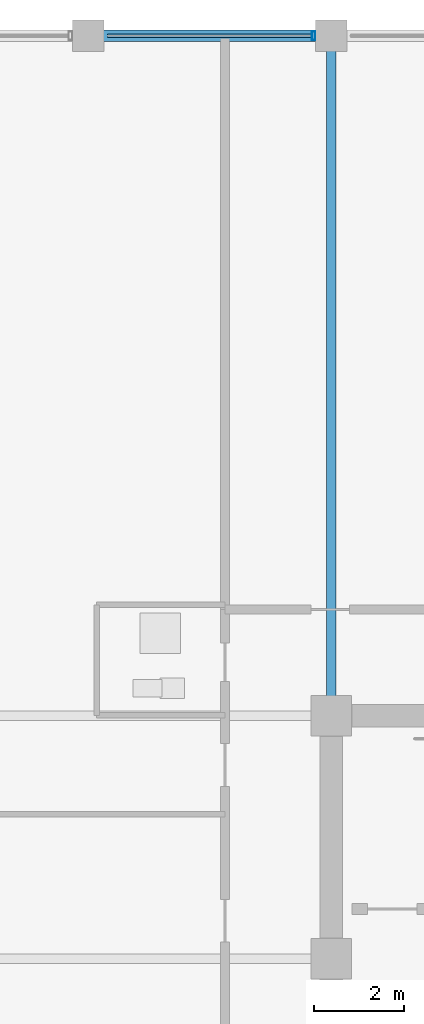
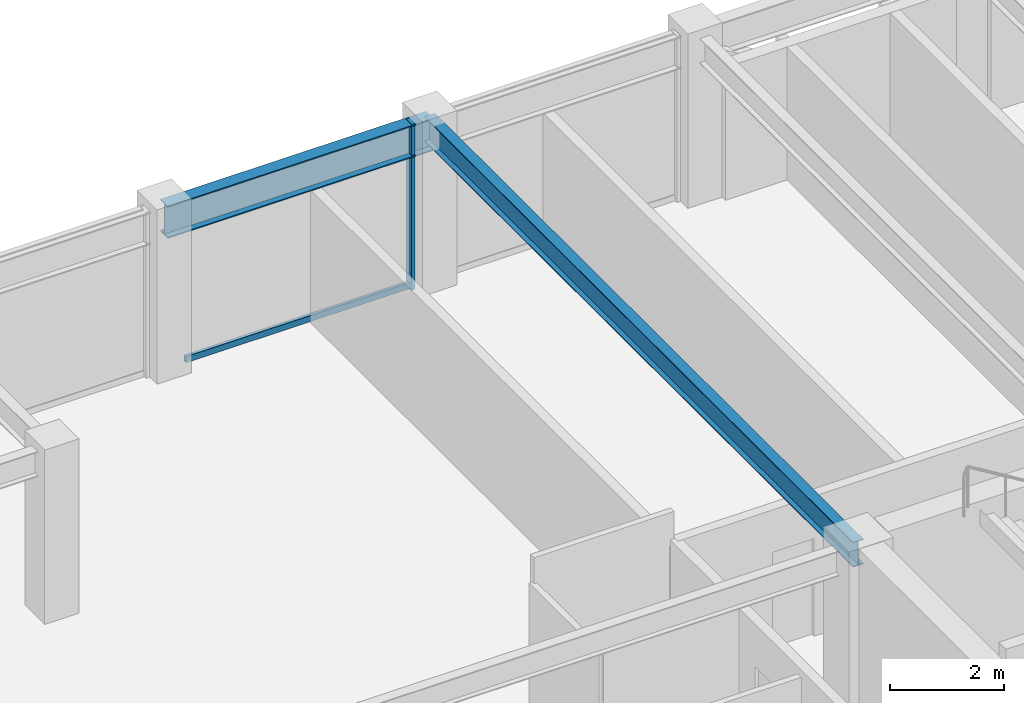
# One storey, part 17 of 31: 2 beams, 2 members, 1 element without a shape of its own.
"""IFC4 building model written with IfcOpenShell, lengths in metres."""

from ifc_helpers import new_model, si_unit, direction, frame, origin, origin_2d, place, context, subcontext, project, spatial, hollow_rectangle, i_section, extrude, material, layer, layer_set, material_profile, profile_set, type_object, element, aggregate, save


model = new_model("IFC4")

# Units and contexts
model_context = context("Model", 3, precision=1e-05, world=origin(), true_north=direction((0.0, 1.0)))
body_context = subcontext(model_context, "Body", "Model", "MODEL_VIEW")
ifc_project = project(units=[si_unit("LENGTHUNIT", "METRE"), si_unit("AREAUNIT", "SQUARE_METRE"), si_unit("VOLUMEUNIT", "CUBIC_METRE"), si_unit("PLANEANGLEUNIT", "RADIAN"), si_unit("MASSUNIT", "GRAM", prefix="KILO")], contexts=[model_context])

# Site, building, storey
site_placement = place(None, origin())
site = spatial("IfcSite", under=ifc_project, at=site_placement, CompositionType="ELEMENT")
building_placement = place(site_placement, origin())
building = spatial("IfcBuilding", under=site, at=building_placement, Name="Surkhivell Harbour Commons", CompositionType="ELEMENT")
storey_placement = place(building_placement, frame((0.0, 0.0, 288.75)))
storey = spatial("IfcBuildingStorey", under=building, at=storey_placement, Name="L75", CompositionType="ELEMENT", Elevation=288.75)

# Beams
ifc_material_1 = material(Name="Steel S355", Category="steel")
ifc_material_profile_1 = material_profile(ifc_material_1, i_section(OverallWidth=0.2099609375, OverallDepth=0.537109375, WebThickness=0.0107421875, FlangeThickness=0.017333984375, at=origin_2d()), Name="UB533x210x101")
ifc_profile_set_1 = profile_set([ifc_material_profile_1], Name="Steel S355")
beam_type_1 = type_object("IfcBeamType", Name="BM-GRD-533B", PredefinedType="BEAM", material=ifc_profile_set_1)
beam_1_placement = place(storey_placement, frame((-10.800048828125, 10.800048828125, 3.301513671875), z_axis=(0.0, 1.0, 0.0), x_axis=(-1.0, 0.0, 0.0)))
element("IfcBeam", 1, at=beam_1_placement, inside=storey, type_object=beam_type_1, Name="L75 Floor Girder (-10.8,10.8)", PredefinedType="BEAM", context=body_context, shape_type="SweptSolid", body=[
    extrude(i_section(OverallWidth=0.2099609375, OverallDepth=0.537109375, WebThickness=0.0107421875, FlangeThickness=0.017333984375, at=origin_2d()), origin(), (0.0, 0.0, 1.0), 15.099853515625),
])
ifc_material_profile_2 = material_profile(ifc_material_1, i_section(OverallWidth=0.256103515625, OverallDepth=0.693115234375, WebThickness=0.014404296875, FlangeThickness=0.023681640625, at=origin_2d()), Name="UB686x254x170")
ifc_profile_set_2 = profile_set([ifc_material_profile_2], Name="Steel S355")
beam_type_2 = type_object("IfcBeamType", Name="BM-SPN-686", PredefinedType="SPANDREL", material=ifc_profile_set_2)
beam_2_placement = place(storey_placement, frame((-16.199951171875, 25.89990234375, 3.223388671875), z_axis=(1.0, 0.0, 0.0), x_axis=(0.0, 1.0, 0.0)))
element("IfcBeam", 2, at=beam_2_placement, inside=storey, type_object=beam_type_2, Name="L75 Tube Spandrel (-16.2,25.9)", PredefinedType="SPANDREL", context=body_context, shape_type="SweptSolid", body=[
    extrude(i_section(OverallWidth=0.256103515625, OverallDepth=0.693115234375, WebThickness=0.014404296875, FlangeThickness=0.023681640625, at=origin_2d()), origin(), (0.0, 0.0, 1.0), 5.39990234375),
])

# Curtain wall, members
ifc_material_2 = material(Name="Anodised pale-metal aluminium and insulated glazing", Category="aluminium")
ifc_layer = layer(ifc_material_2, 0.175048828125)
ifc_layer_set = layer_set([ifc_layer], Name="Anodised pale-metal aluminium and insulated glazing")
curtain_wall_type = type_object("IfcCurtainWallType", Name="CW-SYS-Z4", PredefinedType="NOTDEFINED", material=ifc_layer_set)
curtain_wall_placement = place(storey_placement, origin())
curtain_wall = element("IfcCurtainWall", 3, at=curtain_wall_placement, inside=storey, type_object=curtain_wall_type, Name="L75 Curtain Wall CW-L75-E07S2", PredefinedType="NOTDEFINED")
ifc_material_3 = material(Name="Anodised pale-metal aluminium alloy 6063-T6", Category="aluminium")
ifc_material_profile_3 = material_profile(ifc_material_3, hollow_rectangle(XDim=0.074951171875, YDim=0.18994140625, WallThickness=0.00390625, at=origin_2d()), Name="ALU-MULL-75x190")
ifc_profile_set_3 = profile_set([ifc_material_profile_3], Name="Anodised pale-metal aluminium alloy 6063-T6")
member_type_1 = type_object("IfcMemberType", Name="CWM-190", PredefinedType="MULLION", material=ifc_profile_set_3)
member_1_placement = place(storey_placement, frame((-11.189453125, 25.89990234375, 0.0), z_axis=(0.0, 0.0, 1.0), x_axis=(-1.0, 0.0, 0.0)))
member_1 = element("IfcMember", 4, at=member_1_placement, type_object=member_type_1, Name="CW-Z4 mullion 2", PredefinedType="MULLION", context=body_context, shape_type="SweptSolid", body=[
    extrude(hollow_rectangle(XDim=0.074951171875, YDim=0.18994140625, WallThickness=0.00390625, at=origin_2d()), origin(), (0.0, 0.0, 1.0), 3.570068359375),
])
ifc_material_4 = material(Name="Champagne anodised aluminium alloy 6063-T6", Category="aluminium")
ifc_material_profile_4 = material_profile(ifc_material_4, hollow_rectangle(XDim=0.070068359375, YDim=0.1298828125, WallThickness=0.00341796875, at=origin_2d()), Name="ALU-TRAN-70x130")
ifc_profile_set_4 = profile_set([ifc_material_profile_4], Name="Champagne anodised aluminium alloy 6063-T6")
member_type_2 = type_object("IfcMemberType", Name="CWT-130", PredefinedType="USERDEFINED", material=ifc_profile_set_4)
member_2_placement = place(storey_placement, frame((-11.22705078125, 25.89990234375, 0.06494140625), z_axis=(-1.0, 0.0, 0.0), x_axis=(0.0, -1.0, 0.0)))
member_2 = element("IfcMember", 5, at=member_2_placement, type_object=member_type_2, Name="CW-Z4 transom 2.1", ObjectType="TRANSOM", PredefinedType="USERDEFINED", context=body_context, shape_type="SweptSolid", body=[
    extrude(hollow_rectangle(XDim=0.070068359375, YDim=0.1298828125, WallThickness=0.00341796875, at=origin_2d()), origin(), (0.0, 0.0, 1.0), 4.5458984375),
])
aggregate(curtain_wall, [member_1, member_2])

save(model, "model.ifc")
